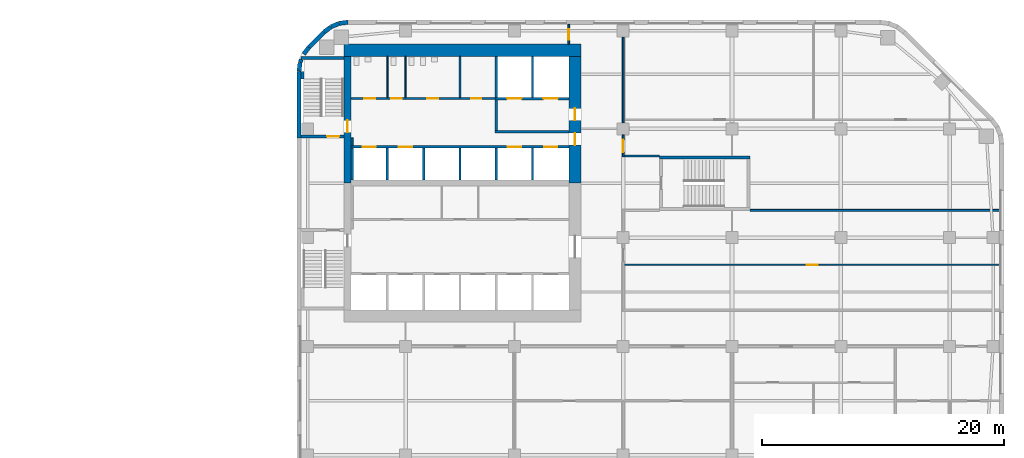
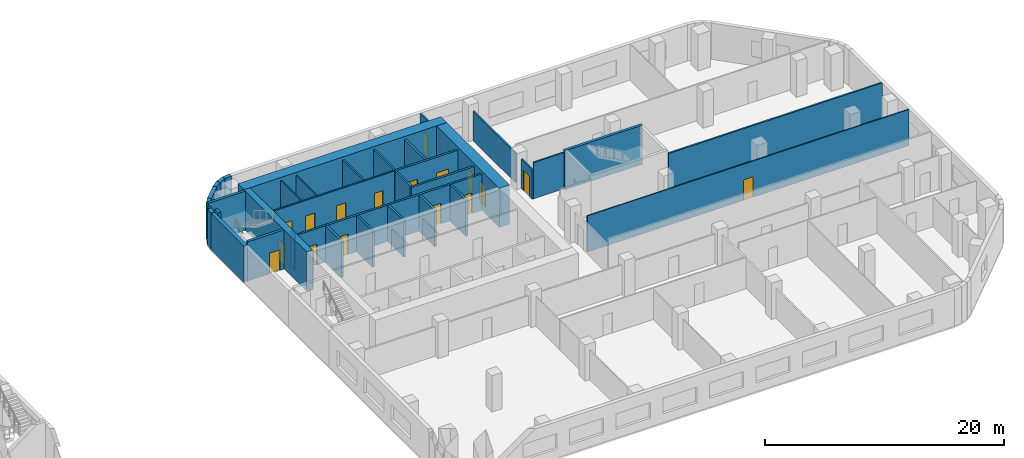
# One storey, part 11 of 16: 38 walls, 17 doors, 17 openings.
"""IFC4 building model written with IfcOpenShell, lengths in metres."""

from ifc_helpers import new_model, si_unit, direction, frame, frame_2d, origin, place, context, subcontext, project, spatial, rectangle, extrude, material, layer, layer_set, type_object, element, fill, save


model = new_model("IFC4")

# Units and contexts
model_context = context("Model", 3, precision=1e-05, world=origin(), true_north=direction((0.0, 1.0)))
body_context = subcontext(model_context, "Body", "Model", "MODEL_VIEW")
ifc_project = project(units=[si_unit("LENGTHUNIT", "METRE"), si_unit("AREAUNIT", "SQUARE_METRE"), si_unit("VOLUMEUNIT", "CUBIC_METRE"), si_unit("PLANEANGLEUNIT", "RADIAN"), si_unit("MASSUNIT", "GRAM", prefix="KILO")], contexts=[model_context])

# Site, building, storey
site_placement = place(None, origin())
site = spatial("IfcSite", under=ifc_project, at=site_placement, CompositionType="ELEMENT")
building_placement = place(site_placement, origin())
building = spatial("IfcBuilding", under=site, at=building_placement, Name="Cinnabar Reach Civic Tower", CompositionType="ELEMENT")
storey_placement = place(building_placement, frame((0.0, 0.0, 42.0)))
storey = spatial("IfcBuildingStorey", under=building, at=storey_placement, Name="L09", CompositionType="ELEMENT", Elevation=42.0)

# Walls
ifc_material_1 = material(Name="Facing brick with insulated backing", Category="masonry")
ifc_layer_1 = layer(ifc_material_1, 0.36)
ifc_layer_set_1 = layer_set([ifc_layer_1], Name="Brick corner wall")
wall_type_1 = type_object("IfcWallType", Name="Brick corner wall", PredefinedType="STANDARD", material=ifc_layer_set_1)
for number, where, z_axis, x_axis, name in (
    (1, (4.2314, 44.817, 0.0), (0.0, 0.0, 1.0), (-0.99144092581, -0.13055608231, 0.0), "Brick corner wall"),
    (2, (3.5027, 44.7181, 0.0), (0.0, 0.0, 1.0), (-0.923871547278, -0.382702709855, 0.0), "Brick corner wall"),
):
    element("IfcWall", number, at=place(storey_placement, frame(where, z_axis=z_axis, x_axis=x_axis)), inside=storey, type_object=wall_type_1, Name=name, PredefinedType="STANDARD", context=body_context, shape_type="SweptSolid", body=[
        extrude(rectangle(XDim=0.7131, YDim=0.36, at=frame_2d((0.3565, 0.0))), origin(), (0.0, 0.0, 1.0), 3.7),
    ])
for number, where, z_axis, x_axis, name in (
    (3, (2.8245, 44.434, 0.0), (0.0, 0.0, 1.0), (-0.793321924995, -0.608802368033, 0.0), "Brick corner wall"),
    (4, (1.0002, 42.7413, 0.0), (0.0, 0.0, 1.0), (-0.608802368033, -0.793321924995, 0.0), "Brick corner wall"),
):
    element("IfcWall", number, at=place(storey_placement, frame(where, z_axis=z_axis, x_axis=x_axis)), inside=storey, type_object=wall_type_1, Name=name, PredefinedType="STANDARD", context=body_context, shape_type="SweptSolid", body=[
        extrude(rectangle(XDim=0.7132, YDim=0.36, at=frame_2d((0.3566, 0.0))), origin(), (0.0, 0.0, 1.0), 3.7),
    ])
wall_1_placement = place(storey_placement, frame((0.3808, 41.736, 0.0), z_axis=(0.0, 0.0, 1.0), x_axis=(-0.382773360986, -0.923842277729, 0.0)))
element("IfcWall", 5, at=wall_1_placement, inside=storey, type_object=wall_type_1, Name="Brick corner wall", PredefinedType="STANDARD", context=body_context, shape_type="SweptSolid", body=[
    extrude(rectangle(XDim=0.2584, YDim=0.36, at=frame_2d((0.1292, 0.0))), origin(), (0.0, 0.0, 1.0), 3.7),
])
wall_2_placement = place(storey_placement, frame((0.2761, 41.4756, 0.0), z_axis=(0.0, 0.0, 1.0), x_axis=(-0.13055608231, -0.99144092581, 0.0)))
element("IfcWall", 6, at=wall_2_placement, inside=storey, type_object=wall_type_1, Name="Brick corner wall", PredefinedType="STANDARD", context=body_context, shape_type="SweptSolid", body=[
    extrude(rectangle(XDim=0.7131, YDim=0.36, at=frame_2d((0.3565, 0.0))), origin(), (0.0, 0.0, 1.0), 3.7),
])
ifc_layer_2 = layer(ifc_material_1, 0.36)
ifc_layer_set_2 = layer_set([ifc_layer_2], Name="Brick pier and spandrel wall")
wall_type_2 = type_object("IfcWallType", Name="Brick pier and spandrel wall", PredefinedType="STANDARD", material=ifc_layer_set_2)
wall_3_placement = place(storey_placement, frame((2.2486, 43.994, 0.0), z_axis=(0.0, 0.0, 1.0), x_axis=(-0.707106781187, -0.707106781187, 0.0)))
element("IfcWall", 7, at=wall_3_placement, inside=storey, type_object=wall_type_2, Name="Brick facade wall", PredefinedType="STANDARD", context=body_context, shape_type="SweptSolid", body=[
    extrude(rectangle(XDim=1.7573, YDim=0.36, at=frame_2d((0.8787, 0.0))), origin(), (0.0, 0.0, 1.0), 3.7),
])
wall_4_placement = place(storey_placement, frame((0.18, 40.7574, 0.0), z_axis=(0.0, 0.0, 1.0), x_axis=(0.0, -1.0, 0.0)))
element("IfcWall", 8, at=wall_4_placement, inside=storey, type_object=wall_type_2, Name="Brick facade wall", PredefinedType="STANDARD", context=body_context, shape_type="SweptSolid", body=[
    extrude(rectangle(XDim=5.5074, YDim=0.36, at=frame_2d((2.7537, 0.0))), origin(), (0.0, 0.0, 1.0), 3.7),
])
ifc_material_2 = material(Name="Concrete C70", Category="concrete")
ifc_layer_3 = layer(ifc_material_2, 1.0)
ifc_layer_set_3 = layer_set([ifc_layer_3], Name="Core wall 1000 EI 180")
wall_type_3 = type_object("IfcWallType", Name="Core wall 1000 EI 180", PredefinedType="SOLIDWALL", material=ifc_layer_set_3)
wall_5_placement = place(storey_placement, frame((23.5, 42.5, 0.0), z_axis=(0.0, 0.0, 1.0), x_axis=(-1.0, 0.0, 0.0)))
element("IfcWall", 9, at=wall_5_placement, inside=storey, type_object=wall_type_3, Name="Core wall T1 L09 N", PredefinedType="SOLIDWALL", context=body_context, shape_type="SweptSolid", body=[
    extrude(rectangle(XDim=19.6, YDim=1.0, at=frame_2d((9.8, 0.0))), origin(), (0.0, 0.0, 1.0), 4.0),
])

# Wall, openings, doors
wall_6_placement = place(storey_placement, frame((23.0, 31.5, 0.0), z_axis=(0.0, 0.0, 1.0), x_axis=(0.0, 1.0, 0.0)))
wall_6 = element("IfcWall", 10, at=wall_6_placement, inside=storey, type_object=wall_type_3, Name="Core wall T1 L09 E2", PredefinedType="SOLIDWALL", context=body_context, shape_type="SweptSolid", body=[
    extrude(rectangle(XDim=10.5, YDim=1.0, at=frame_2d((5.25, 0.0))), origin(), (0.0, 0.0, 1.0), 4.0),
])
opening_1_placement = place(wall_6_placement, frame((3.15, 0.0, 0.0)))
opening_1 = element("IfcOpeningElement", 11, at=opening_1_placement, cuts=wall_6, Name="Opening D3368", PredefinedType="OPENING", context=body_context, shape_type="SweptSolid", body=[
    extrude(rectangle(XDim=1.0, YDim=2.1, at=frame_2d((0.5, 1.05))), frame((0.0, 0.51, 0.0), z_axis=(0.0, -1.0, 0.0), x_axis=(1.0, 0.0, 0.0)), (0.0, 0.0, 1.0), 1.02),
])
opening_2_placement = place(wall_6_placement, frame((5.2, 0.0, 0.0)))
opening_2 = element("IfcOpeningElement", 12, at=opening_2_placement, cuts=wall_6, Name="Opening D3369", PredefinedType="OPENING", context=body_context, shape_type="SweptSolid", body=[
    extrude(rectangle(XDim=1.0, YDim=2.1, at=frame_2d((0.5, 1.05))), frame((0.0, 0.51, 0.0), z_axis=(0.0, -1.0, 0.0), x_axis=(1.0, 0.0, 0.0)), (0.0, 0.0, 1.0), 1.02),
])
ifc_material_3 = material(Name="Timber door leaf in steel frame", Category="steel")
door_type_1 = type_object("IfcDoorType", Name="Firefighting lobby door 1000 x 2100 T1", OperationType="SINGLE_SWING_LEFT", PredefinedType="DOOR", material=ifc_material_3)
door_1_placement = place(opening_2_placement, origin())
door_1 = element("IfcDoor", 13, at=door_1_placement, inside=storey, type_object=door_type_1, Name="Door D3369", OperationType="SINGLE_SWING_RIGHT", OverallHeight=2.1, OverallWidth=1.0, PredefinedType="DOOR", context=body_context, shape_type="SweptSolid", body=[
    extrude(rectangle(XDim=1.0, YDim=2.1, at=frame_2d((0.5, 1.05))), frame((0.0, 0.025, 0.0), z_axis=(0.0, -1.0, 0.0), x_axis=(1.0, 0.0, 0.0)), (0.0, 0.0, 1.0), 0.05),
])
fill(opening_2, door_1)
door_type_2 = type_object("IfcDoorType", Name="Single swing door 1000 x 2100 T1", OperationType="SINGLE_SWING_LEFT", PredefinedType="DOOR", material=ifc_material_3)
door_2_placement = place(opening_1_placement, origin())
door_2 = element("IfcDoor", 14, at=door_2_placement, inside=storey, type_object=door_type_2, Name="Door D3368", OperationType="SINGLE_SWING_RIGHT", OverallHeight=2.1, OverallWidth=1.0, PredefinedType="DOOR", context=body_context, shape_type="SweptSolid", body=[
    extrude(rectangle(XDim=1.0, YDim=2.1, at=frame_2d((0.5, 1.05))), frame((0.0, 0.025, 0.0), z_axis=(0.0, -1.0, 0.0), x_axis=(1.0, 0.0, 0.0)), (0.0, 0.0, 1.0), 0.05),
])
fill(opening_1, door_2)

# Wall, opening, door
ifc_layer_4 = layer(ifc_material_2, 0.6)
ifc_layer_set_4 = layer_set([ifc_layer_4], Name="Core wall 600 EI 180")
wall_type_4 = type_object("IfcWallType", Name="Core wall 600 EI 180", PredefinedType="SOLIDWALL", material=ifc_layer_set_4)
wall_7_placement = place(storey_placement, frame((4.2, 42.0, 0.0), z_axis=(0.0, 0.0, 1.0), x_axis=(0.0, -1.0, 0.0)))
wall_7 = element("IfcWall", 15, at=wall_7_placement, inside=storey, type_object=wall_type_4, Name="Core wall T1 L09 W", PredefinedType="SOLIDWALL", context=body_context, shape_type="SweptSolid", body=[
    extrude(rectangle(XDim=10.5, YDim=0.6, at=frame_2d((5.25, 0.0))), origin(), (0.0, 0.0, 1.0), 4.0),
])
opening_3_placement = place(wall_7_placement, frame((5.3, 0.0, 0.0)))
opening_3 = element("IfcOpeningElement", 16, at=opening_3_placement, cuts=wall_7, Name="Opening D3353", PredefinedType="OPENING", context=body_context, shape_type="SweptSolid", body=[
    extrude(rectangle(XDim=1.0, YDim=2.1, at=frame_2d((0.5, 1.05))), frame((0.0, 0.31, 0.0), z_axis=(0.0, -1.0, 0.0), x_axis=(1.0, 0.0, 0.0)), (0.0, 0.0, 1.0), 0.62),
])
door_type_3 = type_object("IfcDoorType", Name="Stair door 1000 x 2100 T1", OperationType="SINGLE_SWING_LEFT", PredefinedType="DOOR", material=ifc_material_3)
door_3_placement = place(opening_3_placement, frame((1.0, 0.0, 0.0), z_axis=(0.0, 0.0, 1.0), x_axis=(-1.0, 0.0, 0.0)))
door_3 = element("IfcDoor", 17, at=door_3_placement, inside=storey, type_object=door_type_3, Name="Door D3353", OperationType="SINGLE_SWING_LEFT", OverallHeight=2.1, OverallWidth=1.0, PredefinedType="DOOR", context=body_context, shape_type="SweptSolid", body=[
    extrude(rectangle(XDim=1.0, YDim=2.1, at=frame_2d((0.5, 1.05))), frame((0.0, 0.025, 0.0), z_axis=(0.0, -1.0, 0.0), x_axis=(1.0, 0.0, 0.0)), (0.0, 0.0, 1.0), 0.05),
])
fill(opening_3, door_3)

# Wall, openings, doors
ifc_material_4 = material(Name="Gypsum board on steel studs, double layer", Category="steel")
ifc_layer_5 = layer(ifc_material_4, 0.15)
ifc_layer_set_5 = layer_set([ifc_layer_5], Name="Corridor wall 150 T1")
wall_type_5 = type_object("IfcWallType", Name="Corridor wall 150 T1", PredefinedType="PARTITIONING", material=ifc_layer_set_5)
wall_8_placement = place(storey_placement, frame((4.5, 38.5, 0.0), z_axis=(0.0, 0.0, 1.0), x_axis=(1.0, 0.0, 0.0)))
wall_8 = element("IfcWall", 18, at=wall_8_placement, inside=storey, type_object=wall_type_5, Name="Corridor wall 28", PredefinedType="PARTITIONING", context=body_context, shape_type="SweptSolid", body=[
    extrude(rectangle(XDim=11.9, YDim=0.15, at=frame_2d((5.95, 0.0))), origin(), (0.0, 0.0, 1.0), 3.7),
])
opening_4_placement = place(wall_8_placement, frame((1.1, 0.0, 0.0)))
opening_4 = element("IfcOpeningElement", 19, at=opening_4_placement, cuts=wall_8, Name="Opening D3374", PredefinedType="OPENING", context=body_context, shape_type="SweptSolid", body=[
    extrude(rectangle(XDim=0.9, YDim=2.1, at=frame_2d((0.45, 1.05))), frame((0.0, 0.085, 0.0), z_axis=(0.0, -1.0, 0.0), x_axis=(1.0, 0.0, 0.0)), (0.0, 0.0, 1.0), 0.17),
])
opening_5_placement = place(wall_8_placement, frame((3.3, 0.0, 0.0)))
opening_5 = element("IfcOpeningElement", 20, at=opening_5_placement, cuts=wall_8, Name="Opening D3375", PredefinedType="OPENING", context=body_context, shape_type="SweptSolid", body=[
    extrude(rectangle(XDim=0.9, YDim=2.1, at=frame_2d((0.45, 1.05))), frame((0.0, 0.085, 0.0), z_axis=(0.0, -1.0, 0.0), x_axis=(1.0, 0.0, 0.0)), (0.0, 0.0, 1.0), 0.17),
])
opening_6_placement = place(wall_8_placement, frame((6.3, 0.0, 0.0)))
opening_6 = element("IfcOpeningElement", 21, at=opening_6_placement, cuts=wall_8, Name="Opening D3376", PredefinedType="OPENING", context=body_context, shape_type="SweptSolid", body=[
    extrude(rectangle(XDim=0.9, YDim=2.1, at=frame_2d((0.45, 1.05))), frame((0.0, 0.085, 0.0), z_axis=(0.0, -1.0, 0.0), x_axis=(1.0, 0.0, 0.0)), (0.0, 0.0, 1.0), 0.17),
])
opening_7_placement = place(wall_8_placement, frame((9.95, 0.0, 0.0)))
opening_7 = element("IfcOpeningElement", 22, at=opening_7_placement, cuts=wall_8, Name="Opening D3377", PredefinedType="OPENING", context=body_context, shape_type="SweptSolid", body=[
    extrude(rectangle(XDim=0.8, YDim=2.1, at=frame_2d((0.4, 1.05))), frame((0.0, 0.085, 0.0), z_axis=(0.0, -1.0, 0.0), x_axis=(1.0, 0.0, 0.0)), (0.0, 0.0, 1.0), 0.17),
])
door_type_4 = type_object("IfcDoorType", Name="Riser access door 800 x 2100 T1", OperationType="SINGLE_SWING_LEFT", PredefinedType="DOOR", material=ifc_material_3)
door_4_placement = place(opening_7_placement, origin())
door_4 = element("IfcDoor", 23, at=door_4_placement, inside=storey, type_object=door_type_4, Name="Door D3377", OperationType="SINGLE_SWING_LEFT", OverallHeight=2.1, OverallWidth=0.8, PredefinedType="DOOR", context=body_context, shape_type="SweptSolid", body=[
    extrude(rectangle(XDim=0.8, YDim=2.1, at=frame_2d((0.4, 1.05))), frame((0.0, 0.025, 0.0), z_axis=(0.0, -1.0, 0.0), x_axis=(1.0, 0.0, 0.0)), (0.0, 0.0, 1.0), 0.05),
])
fill(opening_7, door_4)
door_type_5 = type_object("IfcDoorType", Name="Single swing door 900 x 2100 corridor T1", OperationType="SINGLE_SWING_LEFT", PredefinedType="DOOR", material=ifc_material_3)
door_5_placement = place(opening_4_placement, origin())
door_5 = element("IfcDoor", 24, at=door_5_placement, inside=storey, type_object=door_type_5, Name="Door D3374", OperationType="SINGLE_SWING_RIGHT", OverallHeight=2.1, OverallWidth=0.9, PredefinedType="DOOR", context=body_context, shape_type="SweptSolid", body=[
    extrude(rectangle(XDim=0.9, YDim=2.1, at=frame_2d((0.45, 1.05))), frame((0.0, 0.025, 0.0), z_axis=(0.0, -1.0, 0.0), x_axis=(1.0, 0.0, 0.0)), (0.0, 0.0, 1.0), 0.05),
])
fill(opening_4, door_5)
door_6_placement = place(opening_5_placement, origin())
door_6 = element("IfcDoor", 25, at=door_6_placement, inside=storey, type_object=door_type_5, Name="Door D3375", OperationType="SINGLE_SWING_RIGHT", OverallHeight=2.1, OverallWidth=0.9, PredefinedType="DOOR", context=body_context, shape_type="SweptSolid", body=[
    extrude(rectangle(XDim=0.9, YDim=2.1, at=frame_2d((0.45, 1.05))), frame((0.0, 0.025, 0.0), z_axis=(0.0, -1.0, 0.0), x_axis=(1.0, 0.0, 0.0)), (0.0, 0.0, 1.0), 0.05),
])
fill(opening_5, door_6)
door_7_placement = place(opening_6_placement, origin())
door_7 = element("IfcDoor", 26, at=door_7_placement, inside=storey, type_object=door_type_5, Name="Door D3376", OperationType="SINGLE_SWING_LEFT", OverallHeight=2.1, OverallWidth=0.9, PredefinedType="DOOR", context=body_context, shape_type="SweptSolid", body=[
    extrude(rectangle(XDim=0.9, YDim=2.1, at=frame_2d((0.45, 1.05))), frame((0.0, 0.025, 0.0), z_axis=(0.0, -1.0, 0.0), x_axis=(1.0, 0.0, 0.0)), (0.0, 0.0, 1.0), 0.05),
])
fill(opening_6, door_7)

# Wall, opening, door
wall_9_placement = place(storey_placement, frame((27.0, 33.675, 0.0), z_axis=(0.0, 0.0, 1.0), x_axis=(0.0, 1.0, 0.0)))
wall_9 = element("IfcWall", 27, at=wall_9_placement, inside=storey, type_object=wall_type_5, Name="Corridor wall 29", PredefinedType="PARTITIONING", context=body_context, shape_type="SweptSolid", body=[
    extrude(rectangle(XDim=1.825, YDim=0.15, at=frame_2d((0.9125, 0.0))), origin(), (0.0, 0.0, 1.0), 3.008),
])
opening_8_placement = place(wall_9_placement, frame((0.4, 0.0, 0.0)))
opening_8 = element("IfcOpeningElement", 28, at=opening_8_placement, cuts=wall_9, Name="Opening D3378", PredefinedType="OPENING", context=body_context, shape_type="SweptSolid", body=[
    extrude(rectangle(XDim=1.0, YDim=2.1, at=frame_2d((0.5, 1.05))), frame((0.0, 0.085, 0.0), z_axis=(0.0, -1.0, 0.0), x_axis=(1.0, 0.0, 0.0)), (0.0, 0.0, 1.0), 0.17),
])
door_type_6 = type_object("IfcDoorType", Name="Tenancy entrance door 1000 x 2100 T1", OperationType="SINGLE_SWING_LEFT", PredefinedType="DOOR", material=ifc_material_3)
door_8_placement = place(opening_8_placement, frame((1.0, 0.0, 0.0), z_axis=(0.0, 0.0, 1.0), x_axis=(-1.0, 0.0, 0.0)))
door_8 = element("IfcDoor", 29, at=door_8_placement, inside=storey, type_object=door_type_6, Name="Door D3378", OperationType="SINGLE_SWING_RIGHT", OverallHeight=2.1, OverallWidth=1.0, PredefinedType="DOOR", context=body_context, shape_type="SweptSolid", body=[
    extrude(rectangle(XDim=1.0, YDim=2.1, at=frame_2d((0.5, 1.05))), frame((0.0, 0.025, 0.0), z_axis=(0.0, -1.0, 0.0), x_axis=(1.0, 0.0, 0.0)), (0.0, 0.0, 1.0), 0.05),
])
fill(opening_8, door_8)

# Walls
wall_10_placement = place(storey_placement, frame((27.0, 36.5, 0.0), z_axis=(0.0, 0.0, 1.0), x_axis=(0.0, 1.0, 0.0)))
element("IfcWall", 30, at=wall_10_placement, inside=storey, type_object=wall_type_5, Name="Corridor wall 30", PredefinedType="PARTITIONING", context=body_context, shape_type="SweptSolid", body=[
    extrude(rectangle(XDim=7.1, YDim=0.15, at=frame_2d((3.55, 0.0))), origin(), (0.0, 0.0, 1.0), 3.008),
])
wall_11_placement = place(storey_placement, frame((27.075, 33.75, 0.0), z_axis=(0.0, 0.0, 1.0), x_axis=(1.0, 0.0, 0.0)))
element("IfcWall", 31, at=wall_11_placement, inside=storey, type_object=wall_type_5, Name="Corridor wall 36", PredefinedType="PARTITIONING", context=body_context, shape_type="SweptSolid", body=[
    extrude(rectangle(XDim=2.925, YDim=0.15, at=frame_2d((1.4625, 0.0))), origin(), (0.0, 0.0, 1.0), 3.7),
])

# Wall, opening, door
wall_12_placement = place(storey_placement, frame((22.5, 43.0, 0.0), z_axis=(0.0, 0.0, 1.0), x_axis=(0.0, 1.0, 0.0)))
wall_12 = element("IfcWall", 32, at=wall_12_placement, inside=storey, type_object=wall_type_5, Name="Corridor wall 37", PredefinedType="PARTITIONING", context=body_context, shape_type="SweptSolid", body=[
    extrude(rectangle(XDim=1.64, YDim=0.15, at=frame_2d((0.82, 0.0))), origin(), (0.0, 0.0, 1.0), 3.7),
])
opening_9_placement = place(wall_12_placement, frame((0.35, 0.0, 0.0)))
opening_9 = element("IfcOpeningElement", 33, at=opening_9_placement, cuts=wall_12, Name="Opening D5774", PredefinedType="OPENING", context=body_context, shape_type="SweptSolid", body=[
    extrude(rectangle(XDim=0.9, YDim=2.1, at=frame_2d((0.45, 1.05))), frame((0.0, 0.085, 0.0), z_axis=(0.0, -1.0, 0.0), x_axis=(1.0, 0.0, 0.0)), (0.0, 0.0, 1.0), 0.17),
])
door_9_placement = place(opening_9_placement, origin())
door_9 = element("IfcDoor", 34, at=door_9_placement, inside=storey, type_object=door_type_5, Name="Door D5774", OperationType="SINGLE_SWING_LEFT", OverallHeight=2.1, OverallWidth=0.9, PredefinedType="DOOR", context=body_context, shape_type="SweptSolid", body=[
    extrude(rectangle(XDim=0.9, YDim=2.1, at=frame_2d((0.45, 1.05))), frame((0.0, 0.025, 0.0), z_axis=(0.0, -1.0, 0.0), x_axis=(1.0, 0.0, 0.0)), (0.0, 0.0, 1.0), 0.05),
])
fill(opening_9, door_9)

# Wall
wall_13_placement = place(storey_placement, frame((4.575, 34.6, 0.0), z_axis=(0.0, 0.0, 1.0), x_axis=(0.0, 1.0, 0.0)))
element("IfcWall", 35, at=wall_13_placement, inside=storey, type_object=wall_type_5, Name="Corridor wall 38", PredefinedType="PARTITIONING", context=body_context, shape_type="SweptSolid", body=[
    extrude(rectangle(XDim=0.65, YDim=0.15, at=frame_2d((0.325, 0.0))), origin(), (0.0, 0.0, 1.0), 3.7),
])

# Wall, openings, doors
ifc_material_5 = material(Name="Blockwork", Category="masonry")
ifc_layer_6 = layer(ifc_material_5, 0.2)
ifc_layer_set_6 = layer_set([ifc_layer_6], Name="Lift shaft wall 200 T1")
wall_type_6 = type_object("IfcWallType", Name="Lift shaft wall 200 T1", PredefinedType="PARTITIONING", material=ifc_layer_set_6)
wall_14_placement = place(storey_placement, frame((4.5, 34.5, 0.0), z_axis=(0.0, 0.0, 1.0), x_axis=(1.0, 0.0, 0.0)))
wall_14 = element("IfcWall", 36, at=wall_14_placement, inside=storey, type_object=wall_type_6, Name="Lift shaft wall 5", PredefinedType="PARTITIONING", context=body_context, shape_type="SweptSolid", body=[
    extrude(rectangle(XDim=18.0, YDim=0.2, at=frame_2d((9.0, 0.0))), origin(), (0.0, 0.0, 1.0), 3.7),
])
opening_10_placement = place(wall_14_placement, frame((0.95, 0.0, 0.0)))
opening_10 = element("IfcOpeningElement", 37, at=opening_10_placement, cuts=wall_14, Name="Opening D3361", PredefinedType="OPENING", context=body_context, shape_type="SweptSolid", body=[
    extrude(rectangle(XDim=1.1, YDim=2.1, at=frame_2d((0.55, 1.05))), frame((0.0, 0.11, 0.0), z_axis=(0.0, -1.0, 0.0), x_axis=(1.0, 0.0, 0.0)), (0.0, 0.0, 1.0), 0.22),
])
opening_11_placement = place(wall_14_placement, frame((3.95, 0.0, 0.0)))
opening_11 = element("IfcOpeningElement", 38, at=opening_11_placement, cuts=wall_14, Name="Opening D3362", PredefinedType="OPENING", context=body_context, shape_type="SweptSolid", body=[
    extrude(rectangle(XDim=1.1, YDim=2.1, at=frame_2d((0.55, 1.05))), frame((0.0, 0.11, 0.0), z_axis=(0.0, -1.0, 0.0), x_axis=(1.0, 0.0, 0.0)), (0.0, 0.0, 1.0), 0.22),
])
opening_12_placement = place(wall_14_placement, frame((12.95, 0.0, 0.0)))
opening_12 = element("IfcOpeningElement", 39, at=opening_12_placement, cuts=wall_14, Name="Opening D3363", PredefinedType="OPENING", context=body_context, shape_type="SweptSolid", body=[
    extrude(rectangle(XDim=1.1, YDim=2.1, at=frame_2d((0.55, 1.05))), frame((0.0, 0.11, 0.0), z_axis=(0.0, -1.0, 0.0), x_axis=(1.0, 0.0, 0.0)), (0.0, 0.0, 1.0), 0.22),
])
opening_13_placement = place(wall_14_placement, frame((15.95, 0.0, 0.0)))
opening_13 = element("IfcOpeningElement", 40, at=opening_13_placement, cuts=wall_14, Name="Opening D3364", PredefinedType="OPENING", context=body_context, shape_type="SweptSolid", body=[
    extrude(rectangle(XDim=1.1, YDim=2.1, at=frame_2d((0.55, 1.05))), frame((0.0, 0.11, 0.0), z_axis=(0.0, -1.0, 0.0), x_axis=(1.0, 0.0, 0.0)), (0.0, 0.0, 1.0), 0.22),
])
ifc_material_6 = material(Name="Stainless steel sliding door", Category="steel")
door_type_7 = type_object("IfcDoorType", Name="Lift landing door 1100 x 2100 T1", OperationType="SLIDING_TO_LEFT", PredefinedType="DOOR", material=ifc_material_6)
door_10_placement = place(opening_10_placement, origin())
door_10 = element("IfcDoor", 41, at=door_10_placement, inside=storey, type_object=door_type_7, Name="Lift landing door SH1 L09", OperationType="SLIDING_TO_LEFT", OverallHeight=2.1, OverallWidth=1.1, PredefinedType="DOOR", context=body_context, shape_type="SweptSolid", body=[
    extrude(rectangle(XDim=1.1, YDim=2.1, at=frame_2d((0.55, 1.05))), frame((0.0, 0.025, 0.0), z_axis=(0.0, -1.0, 0.0), x_axis=(1.0, 0.0, 0.0)), (0.0, 0.0, 1.0), 0.05),
])
fill(opening_10, door_10)
door_11_placement = place(opening_11_placement, origin())
door_11 = element("IfcDoor", 42, at=door_11_placement, inside=storey, type_object=door_type_7, Name="Lift landing door SH2 L09", OperationType="SLIDING_TO_LEFT", OverallHeight=2.1, OverallWidth=1.1, PredefinedType="DOOR", context=body_context, shape_type="SweptSolid", body=[
    extrude(rectangle(XDim=1.1, YDim=2.1, at=frame_2d((0.55, 1.05))), frame((0.0, 0.025, 0.0), z_axis=(0.0, -1.0, 0.0), x_axis=(1.0, 0.0, 0.0)), (0.0, 0.0, 1.0), 0.05),
])
fill(opening_11, door_11)
door_12_placement = place(opening_12_placement, origin())
door_12 = element("IfcDoor", 43, at=door_12_placement, inside=storey, type_object=door_type_7, Name="Lift landing door SV1 L09", OperationType="SLIDING_TO_LEFT", OverallHeight=2.1, OverallWidth=1.1, PredefinedType="DOOR", context=body_context, shape_type="SweptSolid", body=[
    extrude(rectangle(XDim=1.1, YDim=2.1, at=frame_2d((0.55, 1.05))), frame((0.0, 0.025, 0.0), z_axis=(0.0, -1.0, 0.0), x_axis=(1.0, 0.0, 0.0)), (0.0, 0.0, 1.0), 0.05),
])
fill(opening_12, door_12)
door_13_placement = place(opening_13_placement, origin())
door_13 = element("IfcDoor", 44, at=door_13_placement, inside=storey, type_object=door_type_7, Name="Lift landing door SV2 L09", OperationType="SLIDING_TO_LEFT", OverallHeight=2.1, OverallWidth=1.1, PredefinedType="DOOR", context=body_context, shape_type="SweptSolid", body=[
    extrude(rectangle(XDim=1.1, YDim=2.1, at=frame_2d((0.55, 1.05))), frame((0.0, 0.025, 0.0), z_axis=(0.0, -1.0, 0.0), x_axis=(1.0, 0.0, 0.0)), (0.0, 0.0, 1.0), 0.05),
])
fill(opening_13, door_13)

# Walls
for number, where, z_axis, x_axis, name in (
    (45, (16.5, 38.6, 0.0), (0.0, 0.0, 1.0), (0.0, 1.0, 0.0), "Lift shaft wall 6"),
    (46, (19.5, 38.6, 0.0), (0.0, 0.0, 1.0), (0.0, 1.0, 0.0), "Lift shaft wall 7"),
):
    element("IfcWall", number, at=place(storey_placement, frame(where, z_axis=z_axis, x_axis=x_axis)), inside=storey, type_object=wall_type_6, Name=name, PredefinedType="PARTITIONING", context=body_context, shape_type="SweptSolid", body=[
        extrude(rectangle(XDim=3.4, YDim=0.2, at=frame_2d((1.7, 0.0))), origin(), (0.0, 0.0, 1.0), 3.7),
    ])
for number, where, z_axis, x_axis, name in (
    (47, (4.6, 31.75, 0.0), (0.0, 0.0, 1.0), (0.0, 1.0, 0.0), "Lift shaft wall 8"),
    (48, (7.5, 31.75, 0.0), (0.0, 0.0, 1.0), (0.0, 1.0, 0.0), "Lift shaft wall 10"),
    (49, (10.5, 31.75, 0.0), (0.0, 0.0, 1.0), (0.0, 1.0, 0.0), "Lift shaft wall 12"),
    (50, (13.5, 31.75, 0.0), (0.0, 0.0, 1.0), (0.0, 1.0, 0.0), "Lift shaft wall 14"),
    (51, (16.5, 31.75, 0.0), (0.0, 0.0, 1.0), (0.0, 1.0, 0.0), "Lift shaft wall 16"),
    (52, (19.5, 31.75, 0.0), (0.0, 0.0, 1.0), (0.0, 1.0, 0.0), "Lift shaft wall 18"),
):
    element("IfcWall", number, at=place(storey_placement, frame(where, z_axis=z_axis, x_axis=x_axis)), inside=storey, type_object=wall_type_6, Name=name, PredefinedType="PARTITIONING", context=body_context, shape_type="SweptSolid", body=[
        extrude(rectangle(XDim=2.65, YDim=0.2, at=frame_2d((1.325, 0.0))), origin(), (0.0, 0.0, 1.0), 3.7),
    ])

# Wall, opening, door
ifc_material_7 = material(Name="Gypsum board on steel studs", Category="steel")
ifc_layer_7 = layer(ifc_material_7, 0.1)
ifc_layer_set_7 = layer_set([ifc_layer_7], Name="Partition wall 100 T1")
wall_type_7 = type_object("IfcWallType", Name="Partition wall 100 T1", PredefinedType="PARTITIONING", material=ifc_layer_set_7)
wall_15_placement = place(storey_placement, frame((27.075, 24.75, 0.0), z_axis=(0.0, 0.0, 1.0), x_axis=(1.0, 0.0, 0.0)))
wall_15 = element("IfcWall", 53, at=wall_15_placement, inside=storey, type_object=wall_type_7, Name="Partition wall 44", PredefinedType="PARTITIONING", context=body_context, shape_type="SweptSolid", body=[
    extrude(rectangle(XDim=31.065, YDim=0.1, at=frame_2d((15.5325, 0.0))), origin(), (0.0, 0.0, 1.0), 3.7),
])
opening_14_placement = place(wall_15_placement, frame((15.1, 0.0, 0.0)))
opening_14 = element("IfcOpeningElement", 54, at=opening_14_placement, cuts=wall_15, Name="Opening D3382", PredefinedType="OPENING", context=body_context, shape_type="SweptSolid", body=[
    extrude(rectangle(XDim=0.9, YDim=2.1, at=frame_2d((0.45, 1.05))), frame((0.0, 0.06, 0.0), z_axis=(0.0, -1.0, 0.0), x_axis=(1.0, 0.0, 0.0)), (0.0, 0.0, 1.0), 0.12),
])
door_type_8 = type_object("IfcDoorType", Name="Single swing door 900 x 2100 T1", OperationType="SINGLE_SWING_LEFT", PredefinedType="DOOR", material=ifc_material_3)
door_14_placement = place(opening_14_placement, frame((0.9, 0.0, 0.0), z_axis=(0.0, 0.0, 1.0), x_axis=(-1.0, 0.0, 0.0)))
door_14 = element("IfcDoor", 55, at=door_14_placement, inside=storey, type_object=door_type_8, Name="Door D3382", OperationType="SINGLE_SWING_RIGHT", OverallHeight=2.1, OverallWidth=0.9, PredefinedType="DOOR", context=body_context, shape_type="SweptSolid", body=[
    extrude(rectangle(XDim=0.9, YDim=2.1, at=frame_2d((0.45, 1.05))), frame((0.0, 0.025, 0.0), z_axis=(0.0, -1.0, 0.0), x_axis=(1.0, 0.0, 0.0)), (0.0, 0.0, 1.0), 0.05),
])
fill(opening_14, door_14)

# Walls
for number, where, z_axis, x_axis, name in (
    (56, (7.5, 38.575, 0.0), (0.0, 0.0, 1.0), (0.0, 1.0, 0.0), "Partition wall 59"),
    (57, (9.0, 38.575, 0.0), (0.0, 0.0, 1.0), (0.0, 1.0, 0.0), "Partition wall 60"),
):
    element("IfcWall", number, at=place(storey_placement, frame(where, z_axis=z_axis, x_axis=x_axis)), inside=storey, type_object=wall_type_7, Name=name, PredefinedType="PARTITIONING", context=body_context, shape_type="SweptSolid", body=[
        extrude(rectangle(XDim=3.425, YDim=0.1, at=frame_2d((1.7125, 0.0))), origin(), (0.0, 0.0, 1.0), 3.7),
    ])
ifc_material_8 = material(Name="Concrete C40", Category="concrete")
ifc_layer_8 = layer(ifc_material_8, 0.2)
ifc_layer_set_8 = layer_set([ifc_layer_8], Name="Refuge compartment wall 200 T1")
wall_type_8 = type_object("IfcWallType", Name="Refuge compartment wall 200 T1", PredefinedType="PARTITIONING", material=ifc_layer_set_8)
wall_16_placement = place(storey_placement, frame((16.4, 35.75, 0.0), z_axis=(0.0, 0.0, 1.0), x_axis=(1.0, 0.0, 0.0)))
element("IfcWall", 58, at=wall_16_placement, inside=storey, type_object=wall_type_8, Name="Refuge compartment wall 1", PredefinedType="PARTITIONING", context=body_context, shape_type="SweptSolid", body=[
    extrude(rectangle(XDim=6.1, YDim=0.2, at=frame_2d((3.05, 0.0))), origin(), (0.0, 0.0, 1.0), 3.7),
])

# Wall, openings, doors
wall_17_placement = place(storey_placement, frame((16.4, 38.5, 0.0), z_axis=(0.0, 0.0, 1.0), x_axis=(1.0, 0.0, 0.0)))
wall_17 = element("IfcWall", 59, at=wall_17_placement, inside=storey, type_object=wall_type_8, Name="Refuge compartment wall 2", PredefinedType="PARTITIONING", context=body_context, shape_type="SweptSolid", body=[
    extrude(rectangle(XDim=6.1, YDim=0.2, at=frame_2d((3.05, 0.0))), origin(), (0.0, 0.0, 1.0), 3.7),
])
opening_15_placement = place(wall_17_placement, frame((1.0, 0.0, 0.0)))
opening_15 = element("IfcOpeningElement", 60, at=opening_15_placement, cuts=wall_17, Name="Opening D3365", PredefinedType="OPENING", context=body_context, shape_type="SweptSolid", body=[
    extrude(rectangle(XDim=1.2, YDim=2.1, at=frame_2d((0.6, 1.05))), frame((0.0, 0.11, 0.0), z_axis=(0.0, -1.0, 0.0), x_axis=(1.0, 0.0, 0.0)), (0.0, 0.0, 1.0), 0.22),
])
opening_16_placement = place(wall_17_placement, frame((4.0, 0.0, 0.0)))
opening_16 = element("IfcOpeningElement", 61, at=opening_16_placement, cuts=wall_17, Name="Opening D3366", PredefinedType="OPENING", context=body_context, shape_type="SweptSolid", body=[
    extrude(rectangle(XDim=1.2, YDim=2.1, at=frame_2d((0.6, 1.05))), frame((0.0, 0.11, 0.0), z_axis=(0.0, -1.0, 0.0), x_axis=(1.0, 0.0, 0.0)), (0.0, 0.0, 1.0), 0.22),
])
door_type_9 = type_object("IfcDoorType", Name="Firefighting lift landing door 1200 x 2100 T1", OperationType="SLIDING_TO_LEFT", PredefinedType="DOOR", material=ifc_material_6)
door_15_placement = place(opening_15_placement, origin())
door_15 = element("IfcDoor", 62, at=door_15_placement, inside=storey, type_object=door_type_9, Name="Lift landing door FF1 L09", OperationType="SLIDING_TO_LEFT", OverallHeight=2.1, OverallWidth=1.2, PredefinedType="DOOR", context=body_context, shape_type="SweptSolid", body=[
    extrude(rectangle(XDim=1.2, YDim=2.1, at=frame_2d((0.6, 1.05))), frame((0.0, 0.025, 0.0), z_axis=(0.0, -1.0, 0.0), x_axis=(1.0, 0.0, 0.0)), (0.0, 0.0, 1.0), 0.05),
])
fill(opening_15, door_15)
door_16_placement = place(opening_16_placement, origin())
door_16 = element("IfcDoor", 63, at=door_16_placement, inside=storey, type_object=door_type_9, Name="Lift landing door FF2 L09", OperationType="SLIDING_TO_LEFT", OverallHeight=2.1, OverallWidth=1.2, PredefinedType="DOOR", context=body_context, shape_type="SweptSolid", body=[
    extrude(rectangle(XDim=1.2, YDim=2.1, at=frame_2d((0.6, 1.05))), frame((0.0, 0.025, 0.0), z_axis=(0.0, -1.0, 0.0), x_axis=(1.0, 0.0, 0.0)), (0.0, 0.0, 1.0), 0.05),
])
fill(opening_16, door_16)

# Walls
wall_18_placement = place(storey_placement, frame((16.5, 35.85, 0.0), z_axis=(0.0, 0.0, 1.0), x_axis=(0.0, 1.0, 0.0)))
element("IfcWall", 64, at=wall_18_placement, inside=storey, type_object=wall_type_8, Name="Refuge compartment wall 3", PredefinedType="PARTITIONING", context=body_context, shape_type="SweptSolid", body=[
    extrude(rectangle(XDim=2.55, YDim=0.2, at=frame_2d((1.275, 0.0))), origin(), (0.0, 0.0, 1.0), 3.7),
])
ifc_layer_9 = layer(ifc_material_5, 0.15)
ifc_layer_set_9 = layer_set([ifc_layer_9], Name="Riser wall 150 T1")
wall_type_9 = type_object("IfcWallType", Name="Riser wall 150 T1", PredefinedType="PARTITIONING", material=ifc_layer_set_9)
wall_19_placement = place(storey_placement, frame((13.5, 38.575, 0.0), z_axis=(0.0, 0.0, 1.0), x_axis=(0.0, 1.0, 0.0)))
element("IfcWall", 65, at=wall_19_placement, inside=storey, type_object=wall_type_9, Name="Riser wall 39", PredefinedType="PARTITIONING", context=body_context, shape_type="SweptSolid", body=[
    extrude(rectangle(XDim=3.425, YDim=0.15, at=frame_2d((1.7125, 0.0))), origin(), (0.0, 0.0, 1.0), 3.7),
])

# Wall, opening, door
ifc_material_9 = material(Name="Concrete C60", Category="concrete")
ifc_layer_10 = layer(ifc_material_9, 0.25)
ifc_layer_set_10 = layer_set([ifc_layer_10], Name="Stair shaft wall 250 EI 120")
wall_type_10 = type_object("IfcWallType", Name="Stair shaft wall 250 EI 120", PredefinedType="SOLIDWALL", material=ifc_layer_set_10)
wall_20_placement = place(storey_placement, frame((0.36, 35.375, 0.0), z_axis=(0.0, 0.0, 1.0), x_axis=(1.0, 0.0, 0.0)))
wall_20 = element("IfcWall", 66, at=wall_20_placement, inside=storey, type_object=wall_type_10, Name="Stair shaft wall T1-S2 L09", PredefinedType="SOLIDWALL", context=body_context, shape_type="SweptSolid", body=[
    extrude(rectangle(XDim=3.54, YDim=0.25, at=frame_2d((1.77, 0.0))), origin(), (0.0, 0.0, 1.0), 4.0),
])
opening_17_placement = place(wall_20_placement, frame((2.14, 0.0, 0.0)))
opening_17 = element("IfcOpeningElement", 67, at=opening_17_placement, cuts=wall_20, Name="Opening D3354", PredefinedType="OPENING", context=body_context, shape_type="SweptSolid", body=[
    extrude(rectangle(XDim=1.0, YDim=2.1, at=frame_2d((0.5, 1.05))), frame((0.0, 0.135, 0.0), z_axis=(0.0, -1.0, 0.0), x_axis=(1.0, 0.0, 0.0)), (0.0, 0.0, 1.0), 0.27),
])
door_17_placement = place(opening_17_placement, origin())
door_17 = element("IfcDoor", 68, at=door_17_placement, inside=storey, type_object=door_type_3, Name="Door D3354", OperationType="SINGLE_SWING_RIGHT", OverallHeight=2.1, OverallWidth=1.0, PredefinedType="DOOR", context=body_context, shape_type="SweptSolid", body=[
    extrude(rectangle(XDim=1.0, YDim=2.1, at=frame_2d((0.5, 1.05))), frame((0.0, 0.025, 0.0), z_axis=(0.0, -1.0, 0.0), x_axis=(1.0, 0.0, 0.0)), (0.0, 0.0, 1.0), 0.05),
])
fill(opening_17, door_17)

# Walls
wall_21_placement = place(storey_placement, frame((3.9, 41.875, 0.0), z_axis=(0.0, 0.0, 1.0), x_axis=(-1.0, 0.0, 0.0)))
element("IfcWall", 69, at=wall_21_placement, inside=storey, type_object=wall_type_10, Name="Stair shaft wall T1-S2 L09", PredefinedType="SOLIDWALL", context=body_context, shape_type="SweptSolid", body=[
    extrude(rectangle(XDim=3.54, YDim=0.25, at=frame_2d((1.77, 0.0))), origin(), (0.0, 0.0, 1.0), 4.0),
])
wall_22_placement = place(storey_placement, frame((37.5, 33.625, 0.0), z_axis=(0.0, 0.0, 1.0), x_axis=(-1.0, 0.0, 0.0)))
element("IfcWall", 70, at=wall_22_placement, inside=storey, type_object=wall_type_10, Name="Stair shaft wall T1-S3 L09", PredefinedType="SOLIDWALL", context=body_context, shape_type="SweptSolid", body=[
    extrude(rectangle(XDim=7.5, YDim=0.25, at=frame_2d((3.75, 0.0))), origin(), (0.0, 0.0, 1.0), 4.0),
])
ifc_material_10 = material(Name="Concrete C40/50", Category="concrete")
ifc_layer_11 = layer(ifc_material_10, 0.24)
ifc_layer_set_11 = layer_set([ifc_layer_11], Name="T1 landing bearer wall 240")
wall_type_11 = type_object("IfcWallType", Name="T1 landing bearer wall 240", PredefinedType="STANDARD", material=ifc_layer_set_11)
wall_23_placement = place(storey_placement, frame((0.48, 40.13, 0.0), z_axis=(0.0, 0.0, 1.0), x_axis=(0.0, 1.0, 0.0)))
element("IfcWall", 71, at=wall_23_placement, inside=storey, type_object=wall_type_11, Name="T1-S2 landing bearer wall", PredefinedType="STANDARD", context=body_context, shape_type="SweptSolid", body=[
    extrude(rectangle(XDim=0.6151, YDim=0.24, at=frame_2d((0.3075, 0.0))), origin(), (0.0, 0.0, 1.0), 4.0),
])
ifc_layer_12 = layer(ifc_material_4, 0.15)
ifc_layer_set_12 = layer_set([ifc_layer_12], Name="Tenancy separating wall 150 T1")
wall_type_12 = type_object("IfcWallType", Name="Tenancy separating wall 150 T1", PredefinedType="PARTITIONING", material=ifc_layer_set_12)
wall_24_placement = place(storey_placement, frame((37.5, 29.25, 0.0), z_axis=(0.0, 0.0, 1.0), x_axis=(1.0, 0.0, 0.0)))
element("IfcWall", 72, at=wall_24_placement, inside=storey, type_object=wall_type_12, Name="Tenancy separating wall 40", PredefinedType="PARTITIONING", context=body_context, shape_type="SweptSolid", body=[
    extrude(rectangle(XDim=20.64, YDim=0.15, at=frame_2d((10.32, 0.0))), origin(), (0.0, 0.0, 1.0), 3.7),
])

save(model, "model.ifc")
